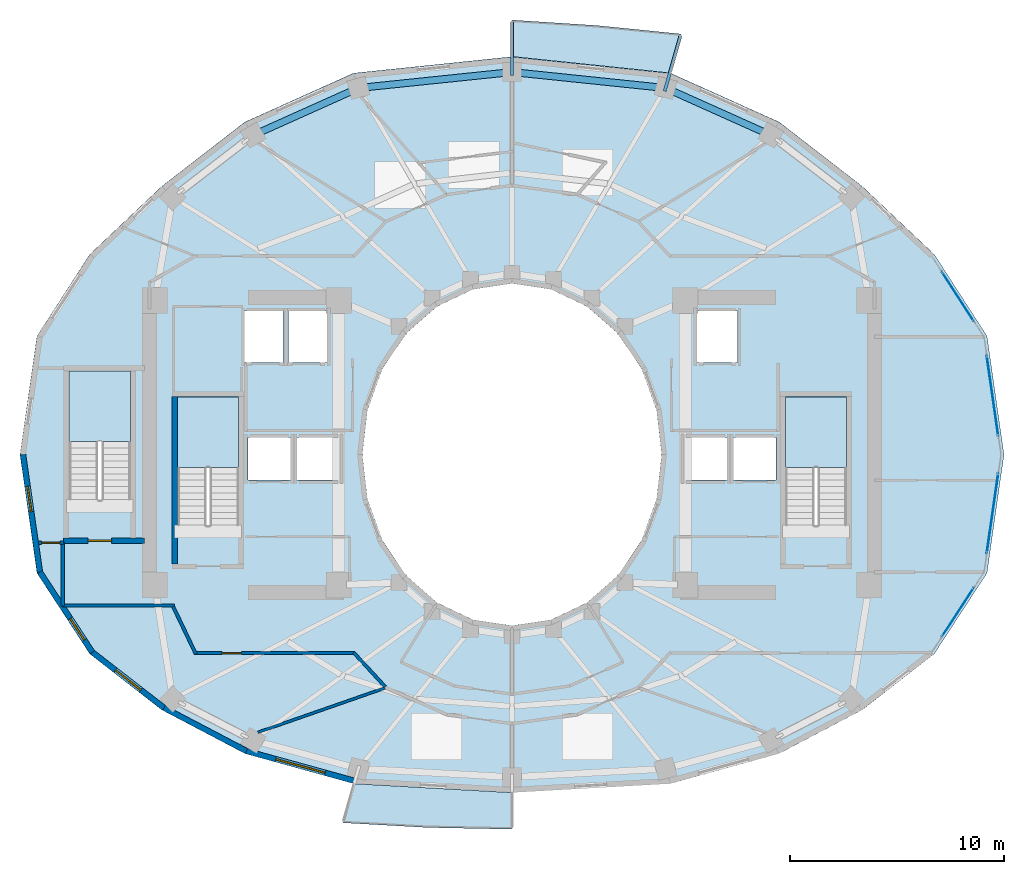
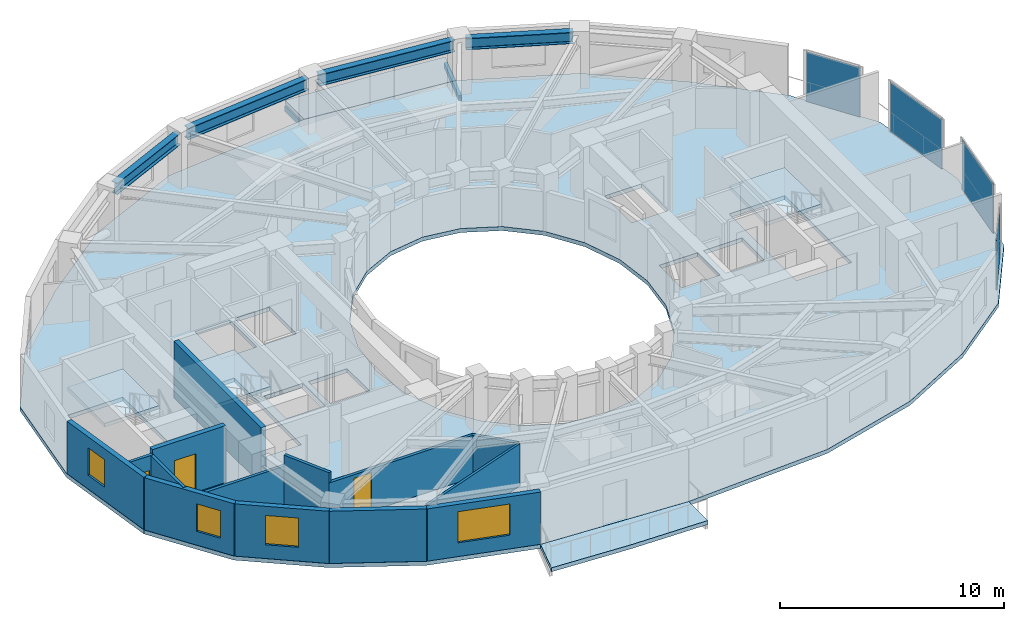
# One storey, part 5 of 13: 14 walls, 6 beams, 6 slabs, 4 plates, 4 windows, 3 doors, 7 openings, 7 elements without a shape of their own.
"""IFC4 building model written with IfcOpenShell, lengths in metres."""

from ifc_helpers import new_model, si_unit, direction, frame, frame_2d, origin, origin_2d, place, context, subcontext, project, spatial, polyline, rectangle, hollow_rectangle, i_section, outline, extrude, material, layer, layer_set, material_profile, profile_set, type_object, element, fill, aggregate, save


model = new_model("IFC4")

# Units and contexts
model_context = context("Model", 3, precision=1e-05, world=origin(), true_north=direction((0.0, 1.0)))
body_context = subcontext(model_context, "Body", "Model", "MODEL_VIEW")
ifc_project = project(units=[si_unit("LENGTHUNIT", "METRE"), si_unit("AREAUNIT", "SQUARE_METRE"), si_unit("VOLUMEUNIT", "CUBIC_METRE"), si_unit("PLANEANGLEUNIT", "RADIAN"), si_unit("MASSUNIT", "GRAM", prefix="KILO")], contexts=[model_context])

# Site, building, storey
site_placement = place(None, origin())
site = spatial("IfcSite", under=ifc_project, at=site_placement, CompositionType="ELEMENT")
building_placement = place(site_placement, origin())
building = spatial("IfcBuilding", under=site, at=building_placement, Name="Solvane Sanctuary Tower", CompositionType="ELEMENT")
storey_placement = place(building_placement, frame((0.0, 0.0, 156.0)))
storey = spatial("IfcBuildingStorey", under=building, at=storey_placement, Name="L47", CompositionType="ELEMENT", Elevation=156.0)

# Beams
ifc_material_1 = material(Name="Steel ASTM A500 Grade C", Category="steel")
ifc_material_profile_1 = material_profile(ifc_material_1, hollow_rectangle(XDim=0.14990234375, YDim=0.300048828125, WallThickness=0.010009765625, at=origin_2d()), Name="HSS300X150X10")
ifc_profile_set_1 = profile_set([ifc_material_profile_1], Name="Steel ASTM A500 Grade C")
beam_type_1 = type_object("IfcBeamType", Name="Beam B-BALC-BRK HSS300X150X10", PredefinedType="BEAM", material=ifc_profile_set_1)
beam_1_placement = place(storey_placement, frame((39.136962890625, 39.990478515625, -0.3720703125), z_axis=(0.275009959001, 0.961441377542, 0.0), x_axis=(-0.961441377542, 0.275009959001, 0.0)))
element("IfcBeam", 1, at=beam_1_placement, inside=storey, type_object=beam_type_1, Name="L47 Balcony Bracket NC-1", PredefinedType="BEAM", context=body_context, shape_type="SweptSolid", body=[
    extrude(hollow_rectangle(XDim=0.14990234375, YDim=0.300048828125, WallThickness=0.010009765625, at=origin_2d()), origin(), (0.0, 0.0, 1.0), 2.67919921875),
])
beam_2_placement = place(storey_placement, frame((32.0, 40.72998046875, -0.3720703125), z_axis=(0.0, 1.0, 0.0), x_axis=(-1.0, 0.0, 0.0)))
element("IfcBeam", 2, at=beam_2_placement, inside=storey, type_object=beam_type_1, Name="L47 Balcony Bracket NC-2", PredefinedType="BEAM", context=body_context, shape_type="SweptSolid", body=[
    extrude(hollow_rectangle(XDim=0.14990234375, YDim=0.300048828125, WallThickness=0.010009765625, at=origin_2d()), origin(), (0.0, 0.0, 1.0), 2.484619140625),
])
ifc_material_2 = material(Name="Steel ASTM A992 Grade 50", Category="steel")
ifc_material_profile_2 = material_profile(ifc_material_2, i_section(OverallWidth=0.327880859375, OverallDepth=0.6279296875, WebThickness=0.0166015625, FlangeThickness=0.027587890625, FilletRadius=0.01611328125, at=origin_2d()), Name="W24X146")
ifc_profile_set_2 = profile_set([ifc_material_profile_2], Name="Steel ASTM A992 Grade 50")
beam_type_2 = type_object("IfcBeamType", Name="Beam B-SPAND-Z3 W24X146", PredefinedType="SPANDREL", material=ifc_profile_set_2)
beam_3_placement = place(storey_placement, frame((20.157470703125, 38.04248046875, 2.56396484375), z_axis=(0.912414349424, 0.409267705744, 0.0), x_axis=(-0.409267705744, 0.912414349424, 0.0)))
element("IfcBeam", 3, at=beam_3_placement, inside=storey, type_object=beam_type_2, Name="L47 Perimeter Spandrel Beam TC06-TC05", PredefinedType="SPANDREL", context=body_context, shape_type="SweptSolid", body=[
    extrude(i_section(OverallWidth=0.327880859375, OverallDepth=0.6279296875, WebThickness=0.0166015625, FlangeThickness=0.027587890625, FilletRadius=0.01611328125, at=origin_2d()), origin(), (0.0, 0.0, 1.0), 4.831787109375),
])
for number, where, z_axis, x_axis, name in (
    (4, (25.10009765625, 40.16357421875, 2.56396484375), (0.994652761118, 0.103275770632, 0.0), (-0.103275770632, 0.994652761118, 0.0), "L47 Perimeter Spandrel Beam TC05-TC04"),
    (5, (32.278564453125, 40.85107421875, 2.56396484375), (0.994652761118, -0.103275770632, 0.0), (0.103275770632, 0.994652761118, 0.0), "L47 Perimeter Spandrel Beam TC04-TC03"),
):
    element("IfcBeam", number, at=place(storey_placement, frame(where, z_axis=z_axis, x_axis=x_axis)), inside=storey, type_object=beam_type_2, Name=name, PredefinedType="SPANDREL", context=body_context, shape_type="SweptSolid", body=[
        extrude(i_section(OverallWidth=0.327880859375, OverallDepth=0.6279296875, WebThickness=0.0166015625, FlangeThickness=0.027587890625, FilletRadius=0.01611328125, at=origin_2d()), origin(), (0.0, 0.0, 1.0), 6.656982421875),
    ])
beam_4_placement = place(storey_placement, frame((39.433837890625, 40.02001953125, 2.56396484375), z_axis=(0.912414349424, -0.409267705744, 0.0), x_axis=(0.409267705744, 0.912414349424, 0.0)))
element("IfcBeam", 6, at=beam_4_placement, inside=storey, type_object=beam_type_2, Name="L47 Perimeter Spandrel Beam TC03-TC02", PredefinedType="SPANDREL", context=body_context, shape_type="SweptSolid", body=[
    extrude(i_section(OverallWidth=0.327880859375, OverallDepth=0.6279296875, WebThickness=0.0166015625, FlangeThickness=0.027587890625, FilletRadius=0.01611328125, at=origin_2d()), origin(), (0.0, 0.0, 1.0), 4.831787109375),
])

# Curtain wall, plate
ifc_material_3 = material(Name="Anodised Aluminium 6063-T6", Category="aluminium")
ifc_layer_1 = layer(ifc_material_3, 0.2099609375, Name="Anodised Aluminium 6063-T6")
ifc_layer_set_1 = layer_set([ifc_layer_1], Name="Anodised Aluminium 6063-T6")
curtain_wall_type = type_object("IfcCurtainWallType", Name="Curtain Wall CW-PORTAL", PredefinedType="NOTDEFINED", material=ifc_layer_set_1)
curtain_wall_1_placement = place(storey_placement, origin())
curtain_wall_1 = element("IfcCurtainWall", 7, at=curtain_wall_1_placement, inside=storey, type_object=curtain_wall_type, Name="L47 CW-PORTAL Facade Run 00", PredefinedType="NOTDEFINED")
ifc_material_4 = material(Name="Dark Ceramic-Fritted Low-E Glass", Category="glass")
ifc_layer_2 = layer(ifc_material_4, 0.031982421875, Name="Dark Ceramic-Fritted Low-E Glass")
ifc_layer_set_2 = layer_set([ifc_layer_2], Name="Dark Ceramic-Fritted Low-E Glass")
plate_type = type_object("IfcPlateType", Name="Plate PN-FRIT-VIS", PredefinedType="CURTAIN_PANEL", material=ifc_layer_set_2)
plate_1_placement = place(storey_placement, frame((54.465087890625, 25.748291015625, 0.06494140625), z_axis=(0.0, 0.0, 1.0), x_axis=(-0.142247806053, 0.989831077342, 0.0)))
plate_1 = element("IfcPlate", 8, at=plate_1_placement, type_object=plate_type, Name="CW-PORTAL panel 1.1", PredefinedType="CURTAIN_PANEL", context=body_context, shape_type="SweptSolid", body=[
    extrude(rectangle(XDim=3.762939453125, YDim=0.031982421875, at=origin_2d()), origin(), (0.0, 0.0, 1.0), 2.7099609375),
])
aggregate(curtain_wall_1, [plate_1])

curtain_wall_2_placement = place(storey_placement, origin())
curtain_wall_2 = element("IfcCurtainWall", 9, at=curtain_wall_2_placement, inside=storey, type_object=curtain_wall_type, Name="L47 CW-PORTAL Facade Run 01", PredefinedType="NOTDEFINED")
plate_2_placement = place(storey_placement, frame((52.8447265625, 30.39013671875, 0.06494140625), z_axis=(0.0, 0.0, 1.0), x_axis=(-0.543340806728, 0.839512220128, 0.0)))
plate_2 = element("IfcPlate", 10, at=plate_2_placement, type_object=plate_type, Name="CW-PORTAL panel 1.1", PredefinedType="CURTAIN_PANEL", context=body_context, shape_type="SweptSolid", body=[
    extrude(rectangle(XDim=2.72119140625, YDim=0.031982421875, at=origin_2d()), origin(), (0.0, 0.0, 1.0), 2.7099609375),
])
aggregate(curtain_wall_2, [plate_2])

curtain_wall_3_placement = place(storey_placement, origin())
curtain_wall_3 = element("IfcCurtainWall", 11, at=curtain_wall_3_placement, inside=storey, type_object=curtain_wall_type, Name="L47 CW-PORTAL Facade Run 22", PredefinedType="NOTDEFINED")
plate_3_placement = place(storey_placement, frame((52.8447265625, 15.630126953125, 0.06494140625), z_axis=(0.0, 0.0, 1.0), x_axis=(0.547432614507, 0.836849767027, 0.0)))
plate_3 = element("IfcPlate", 12, at=plate_3_placement, type_object=plate_type, Name="CW-PORTAL panel 1.1", PredefinedType="CURTAIN_PANEL", context=body_context, shape_type="SweptSolid", body=[
    extrude(rectangle(XDim=2.6875, YDim=0.031982421875, at=origin_2d()), origin(), (0.0, 0.0, 1.0), 2.7099609375),
])
aggregate(curtain_wall_3, [plate_3])

curtain_wall_4_placement = place(storey_placement, origin())
curtain_wall_4 = element("IfcCurtainWall", 13, at=curtain_wall_4_placement, inside=storey, type_object=curtain_wall_type, Name="L47 CW-PORTAL Facade Run 23", PredefinedType="NOTDEFINED")
plate_4_placement = place(storey_placement, frame((54.465087890625, 20.251708984375, 0.06494140625), z_axis=(0.0, 0.0, 1.0), x_axis=(0.142247806053, 0.989831077342, 0.0)))
plate_4 = element("IfcPlate", 14, at=plate_4_placement, type_object=plate_type, Name="CW-PORTAL panel 1.1", PredefinedType="CURTAIN_PANEL", context=body_context, shape_type="SweptSolid", body=[
    extrude(rectangle(XDim=3.762939453125, YDim=0.031982421875, at=origin_2d()), origin(), (0.0, 0.0, 1.0), 2.7099609375),
])
aggregate(curtain_wall_4, [plate_4])

# Slabs
ifc_material_5 = material(Name="Precast concrete C40/50", Category="concrete")
ifc_layer_3 = layer(ifc_material_5, 0.219970703125, Name="Precast concrete C40/50")
ifc_layer_set_3 = layer_set([ifc_layer_3], Name="Precast concrete C40/50")
slab_type_1 = type_object("IfcSlabType", Name="Slab SL-BALC-200", PredefinedType="FLOOR", material=ifc_layer_set_3)
slab_1_placement = place(storey_placement, frame((0.0, 0.0, -0.219970703125)))
element("IfcSlab", 15, at=slab_1_placement, inside=storey, type_object=slab_type_1, Name="L47 Wave Balcony Slab NC", PredefinedType="FLOOR", context=body_context, shape_type="SweptSolid", body=[
    extrude(outline(polyline([(39.9013671875, 42.66259765625), (35.947998046875, 43.06005859375), (32.0, 43.314453125), (32.00048828125, 41.60400390625), (39.41064453125, 40.833740234375), (39.9013671875, 42.66259765625)])), origin(), (0.0, 0.0, 1.0), 0.219970703125),
])
slab_2_placement = place(storey_placement, frame((0.0, 0.0, -0.219970703125)))
element("IfcSlab", 16, at=slab_2_placement, inside=storey, type_object=slab_type_1, Name="L47 Wave Balcony Slab SC", PredefinedType="FLOOR", context=body_context, shape_type="SweptSolid", body=[
    extrude(outline(polyline([(24.0986328125, 5.785400390625), (28.052001953125, 5.56396484375), (32.0, 5.485595703125), (31.999755859375, 7.196044921875), (24.589599609375, 7.6142578125), (24.0986328125, 5.785400390625)])), origin(), (0.0, 0.0, 1.0), 0.219970703125),
])

# Stair, slab
ifc_material_6 = material(Name="Concrete C45/55", Category="concrete")
stair_type = type_object("IfcStairType", Name="Stair ST-TOW", PredefinedType="HALF_TURN_STAIR", material=ifc_material_6)
stair_1_placement = place(storey_placement, origin())
stair_1 = element("IfcStair", 17, at=stair_1_placement, inside=storey, type_object=stair_type, Name="L47 Exit Stair ST-1 West Core", PredefinedType="HALF_TURN_STAIR")
ifc_layer_4 = layer(ifc_material_6, 0.199951171875, Name="Concrete C45/55")
ifc_layer_set_4 = layer_set([ifc_layer_4], Name="Concrete C45/55")
slab_type_2 = type_object("IfcSlabType", Name="Slab SL-LAND-180", PredefinedType="LANDING", material=ifc_layer_set_4)
slab_3_placement = place(storey_placement, frame((0.0, 0.0, 1.35009765625)))
slab_3 = element("IfcSlab", 18, at=slab_3_placement, type_object=slab_type_2, Name="ST-1 landing 1", PredefinedType="LANDING", context=body_context, shape_type="SweptSolid", body=[
    extrude(outline(polyline([(19.219970703125, 22.39990234375), (19.219970703125, 25.699951171875), (16.360107421875, 25.699951171875), (16.360107421875, 22.39990234375), (19.219970703125, 22.39990234375)])), origin(), (0.0, 0.0, 1.0), 0.199951171875),
])
aggregate(stair_1, [slab_3])

stair_2_placement = place(storey_placement, origin())
stair_2 = element("IfcStair", 19, at=stair_2_placement, inside=storey, type_object=stair_type, Name="L47 Exit Stair ST-2 East Core", PredefinedType="HALF_TURN_STAIR")
slab_4_placement = place(storey_placement, frame((0.0, 0.0, 1.35009765625)))
slab_4 = element("IfcSlab", 20, at=slab_4_placement, type_object=slab_type_2, Name="ST-2 landing 1", PredefinedType="LANDING", context=body_context, shape_type="SweptSolid", body=[
    extrude(outline(polyline([(47.639892578125, 22.39990234375), (47.639892578125, 25.699951171875), (44.780029296875, 25.699951171875), (44.780029296875, 22.39990234375), (47.639892578125, 22.39990234375)])), origin(), (0.0, 0.0, 1.0), 0.199951171875),
])
aggregate(stair_2, [slab_4])

stair_3_placement = place(storey_placement, origin())
stair_3 = element("IfcStair", 21, at=stair_3_placement, inside=storey, type_object=stair_type, Name="L47 Exit Stair ST-3 Pilgrim Tower Stair", PredefinedType="HALF_TURN_STAIR")
slab_5_placement = place(storey_placement, frame((0.0, 0.0, 1.35009765625)))
slab_5 = element("IfcSlab", 22, at=slab_5_placement, type_object=slab_type_2, Name="ST-3 landing 1", PredefinedType="LANDING", context=body_context, shape_type="SweptSolid", body=[
    extrude(outline(polyline([(14.159912109375, 23.60009765625), (14.159912109375, 26.89990234375), (11.300048828125, 26.89990234375), (11.300048828125, 23.60009765625), (14.159912109375, 23.60009765625)])), origin(), (0.0, 0.0, 1.0), 0.199951171875),
])
aggregate(stair_3, [slab_5])

# Slab
ifc_material_7 = material(Name="Concrete C50/60", Category="concrete")
ifc_layer_5 = layer(ifc_material_7, 0.219970703125, Name="Concrete C50/60")
ifc_layer_set_5 = layer_set([ifc_layer_5], Name="Concrete C50/60")
slab_type_3 = type_object("IfcSlabType", Name="Slab SL-TOW-250", PredefinedType="FLOOR", material=ifc_layer_set_5)
slab_6_placement = place(storey_placement, frame((0.0, 0.0, -0.219970703125)))
element("IfcSlab", 23, at=slab_6_placement, inside=storey, type_object=slab_type_3, Name="L47 Primary Structural Slab", PredefinedType="FLOOR", context=body_context, shape_type="SweptSolid", body=[
    extrude(outline(polyline([(55.0, 23.0), (54.205322265625, 28.54150390625), (51.7392578125, 32.360107421875), (48.368896484375, 35.54345703125), (44.489013671875, 38.5458984375), (39.410400390625, 40.82958984375), (32.0, 41.60009765625), (24.589599609375, 40.82958984375), (19.510986328125, 38.5458984375), (15.631103515625, 35.54345703125), (12.2607421875, 32.360107421875), (9.794677734375, 28.54150390625), (9.0, 23.0), (9.794677734375, 17.45849609375), (12.2607421875, 13.6806640625), (15.631103515625, 11.061279296875), (19.510986328125, 9.022705078125), (24.589599609375, 7.6181640625), (32.0, 7.199951171875), (39.410400390625, 7.6181640625), (44.489013671875, 9.022705078125), (48.368896484375, 11.061279296875), (51.7392578125, 13.6806640625), (54.205322265625, 17.45849609375), (55.0, 23.0)]), holes=[polyline([(38.761474609375, 20.929443359375), (38.062255859375, 19.0), (36.94970703125, 17.343017578125), (35.5, 16.07177734375), (33.811767578125, 15.272705078125), (32.0, 15.0), (30.188232421875, 15.272705078125), (28.5, 16.07177734375), (27.05029296875, 17.343017578125), (25.937744140625, 19.0), (25.238525390625, 20.929443359375), (25.0, 23.0), (25.238525390625, 25.070556640625), (25.937744140625, 27.0), (27.05029296875, 28.656982421875), (28.5, 29.92822265625), (30.188232421875, 30.727294921875), (32.0, 31.0), (33.811767578125, 30.727294921875), (35.5, 29.92822265625), (36.94970703125, 28.656982421875), (38.062255859375, 27.0), (38.761474609375, 25.070556640625), (39.0, 23.0), (38.761474609375, 20.929443359375)]), polyline([(16.360107421875, 19.699951171875), (16.360107421875, 25.699951171875), (19.219970703125, 25.699951171875), (19.219970703125, 19.699951171875), (16.360107421875, 19.699951171875)]), polyline([(44.780029296875, 19.699951171875), (44.780029296875, 25.699951171875), (47.639892578125, 25.699951171875), (47.639892578125, 19.699951171875), (44.780029296875, 19.699951171875)]), polyline([(11.300048828125, 20.89990234375), (11.300048828125, 26.89990234375), (14.159912109375, 26.89990234375), (14.159912109375, 20.89990234375), (11.300048828125, 20.89990234375)]), polyline([(19.64990234375, 23.800048828125), (21.64990234375, 23.800048828125), (21.64990234375, 21.800048828125), (19.64990234375, 21.800048828125), (19.64990234375, 23.800048828125)]), polyline([(42.35009765625, 23.800048828125), (44.35009765625, 23.800048828125), (44.35009765625, 21.800048828125), (42.35009765625, 21.800048828125), (42.35009765625, 23.800048828125)]), polyline([(21.949951171875, 23.800048828125), (23.949951171875, 23.800048828125), (23.949951171875, 21.800048828125), (21.949951171875, 21.800048828125), (21.949951171875, 23.800048828125)]), polyline([(40.050048828125, 23.800048828125), (42.050048828125, 23.800048828125), (42.050048828125, 21.800048828125), (40.050048828125, 21.800048828125), (40.050048828125, 23.800048828125)]), polyline([(19.5, 29.699951171875), (21.300048828125, 29.699951171875), (21.300048828125, 27.300048828125), (19.5, 27.300048828125), (19.5, 29.699951171875)]), polyline([(21.550048828125, 29.699951171875), (23.35009765625, 29.699951171875), (23.35009765625, 27.300048828125), (21.550048828125, 27.300048828125), (21.550048828125, 29.699951171875)]), polyline([(40.64990234375, 29.699951171875), (42.550048828125, 29.699951171875), (42.550048828125, 27.300048828125), (40.64990234375, 27.300048828125), (40.64990234375, 29.699951171875)])]), origin(), (0.0, 0.0, 1.0), 0.219970703125),
])

# Wall, opening, door
ifc_material_8 = material(Name="Acoustic Gypsum Partition Board")
ifc_layer_6 = layer(ifc_material_8, 0.14990234375, Name="Acoustic Gypsum Partition Board")
ifc_layer_set_6 = layer_set([ifc_layer_6], Name="Acoustic Gypsum Partition Board")
wall_type_1 = type_object("IfcWallType", Name="Wall W-CORR-150", PredefinedType="PARTITIONING", material=ifc_layer_set_6)
wall_1_placement = place(storey_placement, frame((9.869873046875, 18.8798828125, 0.0), z_axis=(0.0, 0.0, 1.0), x_axis=(1.0, 0.0, 0.0)))
wall_1 = element("IfcWall", 24, at=wall_1_placement, inside=storey, type_object=wall_type_1, Name="L47 SW Corner Closer 1", PredefinedType="PARTITIONING", context=body_context, shape_type="SweptSolid", body=[
    extrude(rectangle(XDim=1.170166015625, YDim=0.14990234375, at=frame_2d((0.5849609375, 0.0))), origin(), (0.0, 0.0, 1.0), 2.85498046875),
])
opening_1_placement = place(wall_1_placement, frame((0.139892578125, 0.0, 0.0)))
opening_1 = element("IfcOpeningElement", 25, at=opening_1_placement, cuts=wall_1, Name="Opening D-L47-17", PredefinedType="OPENING", context=body_context, shape_type="SweptSolid", body=[
    extrude(rectangle(XDim=0.85009765625, YDim=2.050048828125, at=frame_2d((0.425048828125, 1.02490234375))), frame((0.0, 0.0849609375, 0.0), z_axis=(0.0, -1.0, 0.0), x_axis=(1.0, 0.0, 0.0)), (0.0, 0.0, 1.0), 0.169921875),
])
ifc_material_9 = material(Name="Architectural Stainless Steel 316", Category="steel")
door_type_1 = type_object("IfcDoorType", Name="Door D-RISER", OperationType="NOTDEFINED", PredefinedType="DOOR", material=ifc_material_9)
door_1_placement = place(opening_1_placement, origin())
door_1 = element("IfcDoor", 26, at=door_1_placement, inside=storey, type_object=door_type_1, Name="L47 West Lookout Study Door", OperationType="SINGLE_SWING_LEFT", OverallHeight=2.050048828125, OverallWidth=0.85009765625, PredefinedType="DOOR", context=body_context, shape_type="SweptSolid", body=[
    extrude(rectangle(XDim=0.85009765625, YDim=2.050048828125, at=frame_2d((0.425048828125, 1.02490234375))), frame((0.0, 0.02490234375, 0.0), z_axis=(0.0, -1.0, 0.0), x_axis=(1.0, 0.0, 0.0)), (0.0, 0.0, 1.0), 0.050048828125),
])
fill(opening_1, door_1)

# Walls
wall_2_placement = place(storey_placement, frame((11.0, 15.909912109375, 0.0), z_axis=(0.0, 0.0, 1.0), x_axis=(0.0, 1.0, 0.0)))
element("IfcWall", 27, at=wall_2_placement, inside=storey, type_object=wall_type_1, Name="L47 SW Corner Closer 2", PredefinedType="PARTITIONING", context=body_context, shape_type="SweptSolid", body=[
    extrude(rectangle(XDim=3.010009765625, YDim=0.14990234375, at=frame_2d((1.5048828125, 0.0))), origin(), (0.0, 0.0, 1.0), 2.85498046875),
])
wall_3_placement = place(storey_placement, frame((10.9599609375, 15.949951171875, 0.0), z_axis=(0.0, 0.0, 1.0), x_axis=(1.0, 0.0, 0.0)))
element("IfcWall", 28, at=wall_3_placement, inside=storey, type_object=wall_type_1, Name="L47 SW Corner Closer 3", PredefinedType="PARTITIONING", context=body_context, shape_type="SweptSolid", body=[
    extrude(rectangle(XDim=5.260009765625, YDim=0.14990234375, at=frame_2d((2.6298828125, 0.0))), origin(), (0.0, 0.0, 1.0), 2.219970703125),
])
wall_4_placement = place(storey_placement, frame((26.07177734375, 12.144287109375, 0.0), z_axis=(0.0, 0.0, 1.0), x_axis=(-0.677579737957, 0.735449317567, 0.0)))
element("IfcWall", 29, at=wall_4_placement, inside=storey, type_object=wall_type_1, Name="L47 SW Corner Throat Wall", PredefinedType="PARTITIONING", context=body_context, shape_type="SweptSolid", body=[
    extrude(rectangle(XDim=2.172607421875, YDim=0.14990234375, at=frame_2d((1.08642578125, 0.0))), origin(), (0.0, 0.0, 1.0), 2.299072265625),
])

# Wall, opening, door
wall_5_placement = place(storey_placement, frame((17.14990234375, 13.719970703125, 0.0), z_axis=(0.0, 0.0, 1.0), x_axis=(1.0, 0.0, 0.0)))
wall_5 = element("IfcWall", 30, at=wall_5_placement, inside=storey, type_object=wall_type_1, Name="L47 SW Corner Corridor Wall", PredefinedType="PARTITIONING", context=body_context, shape_type="SweptSolid", body=[
    extrude(rectangle(XDim=7.52001953125, YDim=0.14990234375, at=frame_2d((3.760009765625, 0.0))), origin(), (0.0, 0.0, 1.0), 2.299072265625),
])
opening_2_placement = place(wall_5_placement, frame((1.300048828125, 0.0, 0.0)))
opening_2 = element("IfcOpeningElement", 31, at=opening_2_placement, cuts=wall_5, Name="Opening D-L47-18", PredefinedType="OPENING", context=body_context, shape_type="SweptSolid", body=[
    extrude(rectangle(XDim=0.89990234375, YDim=2.10009765625, at=frame_2d((0.449951171875, 1.050048828125))), frame((0.0, 0.0849609375, 0.0), z_axis=(0.0, -1.0, 0.0), x_axis=(1.0, 0.0, 0.0)), (0.0, 0.0, 1.0), 0.169921875),
])
ifc_material_10 = material(Name="Engineered Tropical Hardwood", Category="wood")
door_type_2 = type_object("IfcDoorType", Name="Door D-WET-900", OperationType="NOTDEFINED", PredefinedType="DOOR", material=ifc_material_10)
door_2_placement = place(opening_2_placement, origin())
door_2 = element("IfcDoor", 32, at=door_2_placement, inside=storey, type_object=door_type_2, Name="L47 SW Corner Salon Door", OperationType="SINGLE_SWING_RIGHT", OverallHeight=2.10009765625, OverallWidth=0.89990234375, PredefinedType="DOOR", context=body_context, shape_type="SweptSolid", body=[
    extrude(rectangle(XDim=0.89990234375, YDim=2.10009765625, at=frame_2d((0.449951171875, 1.050048828125))), frame((0.0, 0.02490234375, 0.0), z_axis=(0.0, -1.0, 0.0), x_axis=(1.0, 0.0, 0.0)), (0.0, 0.0, 1.0), 0.050048828125),
])
fill(opening_2, door_2)

# Wall
wall_6_placement = place(storey_placement, frame((17.2216796875, 13.6748046875, 0.0), z_axis=(0.0, 0.0, 1.0), x_axis=(-0.431973389813, 0.901886351207, 0.0)))
element("IfcWall", 33, at=wall_6_placement, inside=storey, type_object=wall_type_1, Name="L47 SW Corner Wing Wall", PredefinedType="PARTITIONING", context=body_context, shape_type="SweptSolid", body=[
    extrude(rectangle(XDim=2.45166015625, YDim=0.14990234375, at=frame_2d((1.225830078125, 0.0))), origin(), (0.0, 0.0, 1.0), 2.85498046875),
])

# Wall, opening, window
ifc_layer_7 = layer(ifc_material_5, 0.260009765625, Name="Precast concrete C40/50")
ifc_layer_set_7 = layer_set([ifc_layer_7], Name="Precast concrete C40/50")
wall_type_2 = type_object("IfcWallType", Name="Wall W-EXT-250", PredefinedType="STANDARD", material=ifc_layer_set_7)
wall_7_placement = place(storey_placement, frame((9.139892578125, 23.0, 0.0), z_axis=(0.0, 0.0, 1.0), x_axis=(0.142227632286, -0.989833976288, 0.0)))
wall_7 = element("IfcWall", 34, at=wall_7_placement, inside=storey, type_object=wall_type_2, Name="L47 Ceramic-Printed Facade Wall 12", PredefinedType="STANDARD", context=body_context, shape_type="SweptSolid", body=[
    extrude(rectangle(XDim=5.552978515625, YDim=0.260009765625, at=frame_2d((2.7763671875, 0.0))), origin(), (0.0, 0.0, 1.0), 2.85009765625),
])
opening_3_placement = place(wall_7_placement, frame((1.506103515625, 0.0, 0.75)))
opening_3 = element("IfcOpeningElement", 35, at=opening_3_placement, cuts=wall_7, Name="Opening WN-OPER-1200", PredefinedType="OPENING", context=body_context, shape_type="SweptSolid", body=[
    extrude(rectangle(XDim=1.199951171875, YDim=1.5, at=frame_2d((0.60009765625, 0.75))), frame((0.0, 0.139892578125, 0.0), z_axis=(0.0, -1.0, 0.0), x_axis=(1.0, 0.0, 0.0)), (0.0, 0.0, 1.0), 0.280029296875),
])
window_type_1 = type_object("IfcWindowType", Name="Window WN-OPER-1200", PartitioningType="SINGLE_PANEL", PredefinedType="WINDOW", material=ifc_material_4)
window_1_placement = place(opening_3_placement, origin())
window_1 = element("IfcWindow", 36, at=window_1_placement, inside=storey, type_object=window_type_1, Name="L47 Operable Facade Window 12", OverallHeight=1.5, OverallWidth=1.199951171875, PartitioningType="SINGLE_PANEL", PredefinedType="WINDOW", context=body_context, shape_type="SweptSolid", body=[
    extrude(rectangle(XDim=1.199951171875, YDim=1.5, at=frame_2d((0.60009765625, 0.75))), frame((0.0, 0.030029296875, 0.0), z_axis=(0.0, -1.0, 0.0), x_axis=(1.0, 0.0, 0.0)), (0.0, 0.0, 1.0), 0.06005859375),
])
fill(opening_3, window_1)

wall_8_placement = place(storey_placement, frame((9.9296875, 17.50341796875, 0.0), z_axis=(0.0, 0.0, 1.0), x_axis=(0.547456494366, -0.836834145322, 0.0)))
wall_8 = element("IfcWall", 37, at=wall_8_placement, inside=storey, type_object=wall_type_2, Name="L47 Ceramic-Printed Facade Wall 13", PredefinedType="STANDARD", context=body_context, shape_type="SweptSolid", body=[
    extrude(rectangle(XDim=4.477294921875, YDim=0.260009765625, at=frame_2d((2.23876953125, 0.0))), origin(), (0.0, 0.0, 1.0), 2.85009765625),
])
opening_4_placement = place(wall_8_placement, frame((2.59130859375, 0.0, 0.75)))
opening_4 = element("IfcOpeningElement", 38, at=opening_4_placement, cuts=wall_8, Name="Opening WN-OPER-1200", PredefinedType="OPENING", context=body_context, shape_type="SweptSolid", body=[
    extrude(rectangle(XDim=1.199951171875, YDim=1.5, at=frame_2d((0.60009765625, 0.75))), frame((0.0, 0.139892578125, 0.0), z_axis=(0.0, -1.0, 0.0), x_axis=(1.0, 0.0, 0.0)), (0.0, 0.0, 1.0), 0.280029296875),
])
window_2_placement = place(opening_4_placement, origin())
window_2 = element("IfcWindow", 39, at=window_2_placement, inside=storey, type_object=window_type_1, Name="L47 Operable Facade Window 13", OverallHeight=1.5, OverallWidth=1.199951171875, PartitioningType="SINGLE_PANEL", PredefinedType="WINDOW", context=body_context, shape_type="SweptSolid", body=[
    extrude(rectangle(XDim=1.199951171875, YDim=1.5, at=frame_2d((0.60009765625, 0.75))), frame((0.0, 0.030029296875, 0.0), z_axis=(0.0, -1.0, 0.0), x_axis=(1.0, 0.0, 0.0)), (0.0, 0.0, 1.0), 0.06005859375),
])
fill(opening_4, window_2)

wall_9_placement = place(storey_placement, frame((12.380859375, 13.756591796875, 0.0), z_axis=(0.0, 0.0, 1.0), x_axis=(0.790185650662, -0.612867552973, 0.0)))
wall_9 = element("IfcWall", 40, at=wall_9_placement, inside=storey, type_object=wall_type_2, Name="L47 Ceramic-Printed Facade Wall 14", PredefinedType="STANDARD", context=body_context, shape_type="SweptSolid", body=[
    extrude(rectangle(XDim=4.2392578125, YDim=0.260009765625, at=frame_2d((2.11962890625, 0.0))), origin(), (0.0, 0.0, 1.0), 2.85009765625),
])
opening_5_placement = place(wall_9_placement, frame((1.36962890625, 0.0, 0.75)))
opening_5 = element("IfcOpeningElement", 41, at=opening_5_placement, cuts=wall_9, Name="Opening WN-OPER-1500", PredefinedType="OPENING", context=body_context, shape_type="SweptSolid", body=[
    extrude(rectangle(XDim=1.5, YDim=1.60009765625, at=frame_2d((0.75, 0.800048828125))), frame((0.0, 0.139892578125, 0.0), z_axis=(0.0, -1.0, 0.0), x_axis=(1.0, 0.0, 0.0)), (0.0, 0.0, 1.0), 0.280029296875),
])
window_type_2 = type_object("IfcWindowType", Name="Window WN-OPER-1500", PartitioningType="SINGLE_PANEL", PredefinedType="WINDOW", material=ifc_material_4)
window_3_placement = place(opening_5_placement, origin())
window_3 = element("IfcWindow", 42, at=window_3_placement, inside=storey, type_object=window_type_2, Name="L47 Operable Facade Window 14", OverallHeight=1.60009765625, OverallWidth=1.5, PartitioningType="SINGLE_PANEL", PredefinedType="WINDOW", context=body_context, shape_type="SweptSolid", body=[
    extrude(rectangle(XDim=1.5, YDim=1.60009765625, at=frame_2d((0.75, 0.800048828125))), frame((0.0, 0.030029296875, 0.0), z_axis=(0.0, -1.0, 0.0), x_axis=(1.0, 0.0, 0.0)), (0.0, 0.0, 1.0), 0.06005859375),
])
fill(opening_5, window_3)

# Wall
wall_10_placement = place(storey_placement, frame((15.730712890625, 11.158447265625, 0.0), z_axis=(0.0, 0.0, 1.0), x_axis=(0.885660265226, -0.464333818065, 0.0)))
element("IfcWall", 43, at=wall_10_placement, inside=storey, type_object=wall_type_2, Name="L47 Ceramic-Printed Facade Wall 15", PredefinedType="STANDARD", context=body_context, shape_type="SweptSolid", body=[
    extrude(rectangle(XDim=4.35400390625, YDim=0.260009765625, at=frame_2d((2.177001953125, 0.0))), origin(), (0.0, 0.0, 1.0), 2.85009765625),
])

# Wall, opening, window
wall_11_placement = place(storey_placement, frame((19.5869140625, 9.13671875, 0.0), z_axis=(0.0, 0.0, 1.0), x_axis=(0.963953455704, -0.26607092144, 0.0)))
wall_11 = element("IfcWall", 44, at=wall_11_placement, inside=storey, type_object=wall_type_2, Name="L47 Ceramic-Printed Facade Wall 16", PredefinedType="STANDARD", context=body_context, shape_type="SweptSolid", body=[
    extrude(rectangle(XDim=5.236572265625, YDim=0.260009765625, at=frame_2d((2.6181640625, 0.0))), origin(), (0.0, 0.0, 1.0), 2.85009765625),
])
opening_6_placement = place(wall_11_placement, frame((1.418212890625, 0.0, 0.75)))
opening_6 = element("IfcOpeningElement", 45, at=opening_6_placement, cuts=wall_11, Name="Opening WN-RIB-2400", PredefinedType="OPENING", context=body_context, shape_type="SweptSolid", body=[
    extrude(rectangle(XDim=2.39990234375, YDim=1.699951171875, at=frame_2d((1.199951171875, 0.85009765625))), frame((0.0, 0.139892578125, 0.0), z_axis=(0.0, -1.0, 0.0), x_axis=(1.0, 0.0, 0.0)), (0.0, 0.0, 1.0), 0.280029296875),
])
window_type_3 = type_object("IfcWindowType", Name="Window WN-RIB-2400", PartitioningType="SINGLE_PANEL", PredefinedType="WINDOW", material=ifc_material_4)
window_4_placement = place(opening_6_placement, origin())
window_4 = element("IfcWindow", 46, at=window_4_placement, inside=storey, type_object=window_type_3, Name="L47 Operable Facade Window 16", OverallHeight=1.699951171875, OverallWidth=2.39990234375, PartitioningType="SINGLE_PANEL", PredefinedType="WINDOW", context=body_context, shape_type="SweptSolid", body=[
    extrude(rectangle(XDim=2.39990234375, YDim=1.699951171875, at=frame_2d((1.199951171875, 0.85009765625))), frame((0.0, 0.030029296875, 0.0), z_axis=(0.0, -1.0, 0.0), x_axis=(1.0, 0.0, 0.0)), (0.0, 0.0, 1.0), 0.06005859375),
])
fill(opening_6, window_4)

# Walls
ifc_layer_8 = layer(ifc_material_8, 0.125, Name="Acoustic Gypsum Partition Board")
ifc_layer_set_8 = layer_set([ifc_layer_8], Name="Acoustic Gypsum Partition Board")
wall_type_3 = type_object("IfcWallType", Name="Wall W-PART-125", PredefinedType="PARTITIONING", material=ifc_layer_set_8)
wall_12_placement = place(storey_placement, frame((26.05712890625, 12.085693359375, 0.0), z_axis=(0.0, 0.0, 1.0), x_axis=(-0.944182779284, -0.329422038278, 0.0)))
element("IfcWall", 47, at=wall_12_placement, inside=storey, type_object=wall_type_3, Name="L47 Radial Compartment Wall 240", PredefinedType="PARTITIONING", context=body_context, shape_type="SweptSolid", body=[
    extrude(rectangle(XDim=6.291259765625, YDim=0.125, at=frame_2d((3.1455078125, 0.0))), origin(), (0.0, 0.0, 1.0), 2.299072265625),
])
ifc_layer_9 = layer(ifc_material_7, 0.25, Name="Concrete C50/60")
ifc_layer_set_9 = layer_set([ifc_layer_9], Name="Concrete C50/60")
wall_type_4 = type_object("IfcWallType", Name="Wall W-SHAFT-250", PredefinedType="SOLIDWALL", material=ifc_layer_set_9)
wall_13_placement = place(storey_placement, frame((16.22998046875, 17.89501953125, 0.0), z_axis=(0.0, 0.0, 1.0), x_axis=(0.0, 1.0, 0.0)))
element("IfcWall", 48, at=wall_13_placement, inside=storey, type_object=wall_type_4, Name="L47 ST-1 Load-Bearing Shaft Wall W", PredefinedType="SOLIDWALL", context=body_context, shape_type="SweptSolid", body=[
    extrude(rectangle(XDim=7.81005859375, YDim=0.25, at=frame_2d((3.905029296875, 0.0))), origin(), (0.0, 0.0, 1.0), 3.10009765625),
])

# Wall, opening, door
wall_14_placement = place(storey_placement, frame((11.044921875, 18.969970703125, 0.0), z_axis=(0.0, 0.0, 1.0), x_axis=(1.0, 0.0, 0.0)))
wall_14 = element("IfcWall", 49, at=wall_14_placement, inside=storey, type_object=wall_type_4, Name="L47 ST-3 Load-Bearing Shaft Wall S", PredefinedType="SOLIDWALL", context=body_context, shape_type="SweptSolid", body=[
    extrude(rectangle(XDim=3.781982421875, YDim=0.25, at=frame_2d((1.89111328125, 0.0))), origin(), (0.0, 0.0, 1.0), 3.10009765625),
])
opening_7_placement = place(wall_14_placement, frame((1.135009765625, 0.0, 0.0)))
opening_7 = element("IfcOpeningElement", 50, at=opening_7_placement, cuts=wall_14, Name="Opening D-L47-05", PredefinedType="OPENING", context=body_context, shape_type="SweptSolid", body=[
    extrude(rectangle(XDim=1.10009765625, YDim=2.10009765625, at=frame_2d((0.550048828125, 1.050048828125))), frame((0.0, 0.135009765625, 0.0), z_axis=(0.0, -1.0, 0.0), x_axis=(1.0, 0.0, 0.0)), (0.0, 0.0, 1.0), 0.27001953125),
])
door_type_3 = type_object("IfcDoorType", Name="Door D-STAIR", OperationType="NOTDEFINED", PredefinedType="DOOR", material=ifc_material_9)
door_3_placement = place(opening_7_placement, origin())
door_3 = element("IfcDoor", 51, at=door_3_placement, inside=storey, type_object=door_type_3, Name="L47 ST-3 Exit Stair Fire Door", OperationType="SINGLE_SWING_LEFT", OverallHeight=2.10009765625, OverallWidth=1.10009765625, PredefinedType="DOOR", context=body_context, shape_type="SweptSolid", body=[
    extrude(rectangle(XDim=1.10009765625, YDim=2.10009765625, at=frame_2d((0.550048828125, 1.050048828125))), frame((0.0, 0.02490234375, 0.0), z_axis=(0.0, -1.0, 0.0), x_axis=(1.0, 0.0, 0.0)), (0.0, 0.0, 1.0), 0.050048828125),
])
fill(opening_7, door_3)

save(model, "model.ifc")
